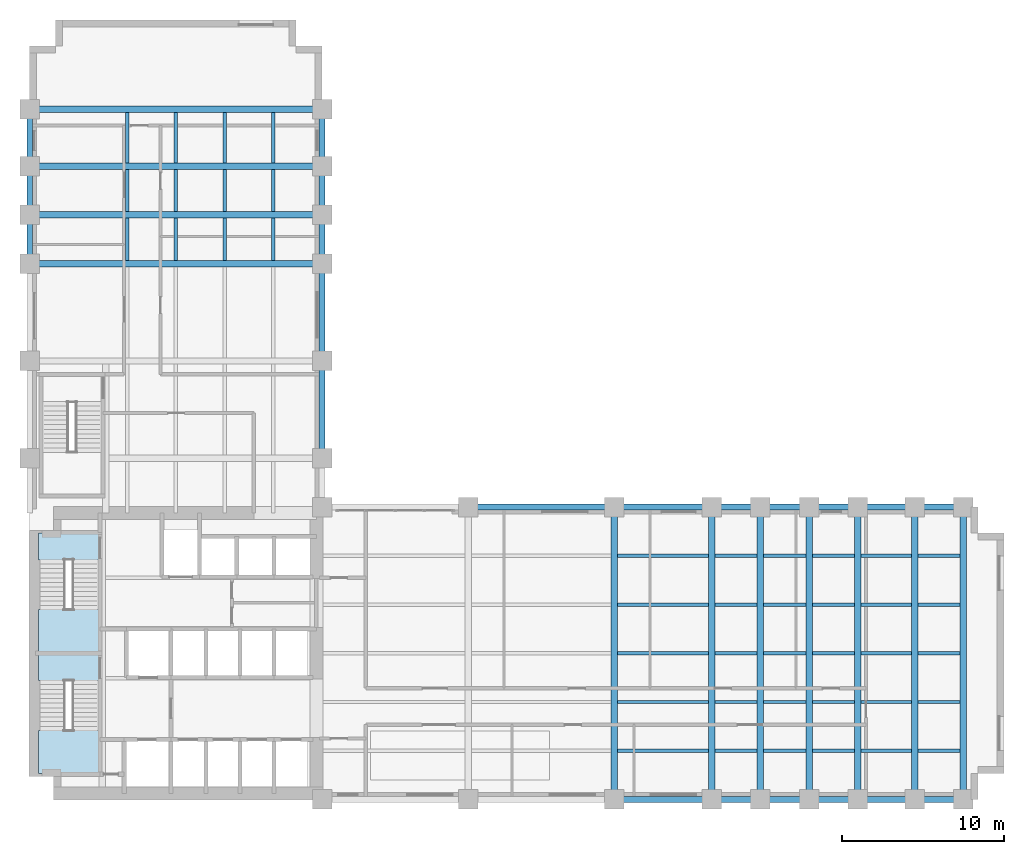
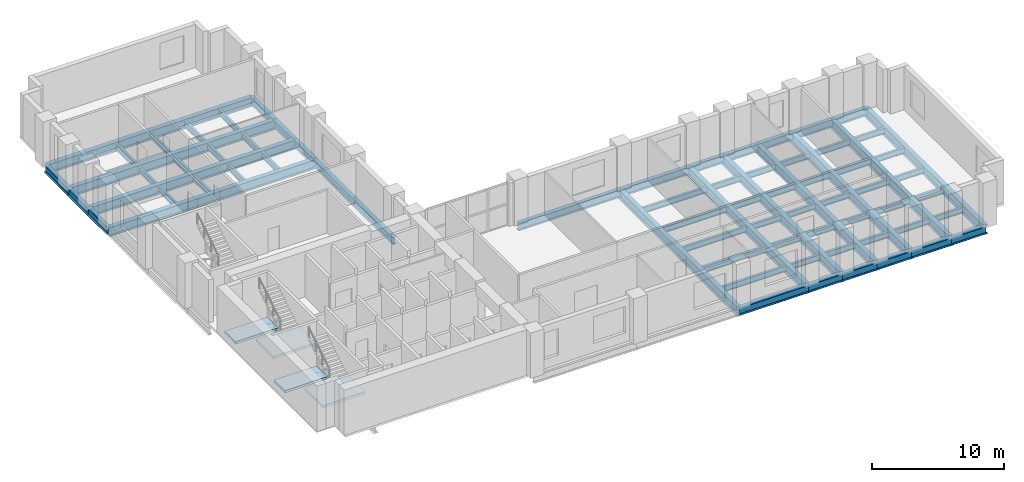
# One storey, part 3 of 8: 74 beams, 4 slabs, 2 elements without a shape of their own.
"""IFC4 building model written with IfcOpenShell, lengths in metres."""

from ifc_helpers import new_model, si_unit, direction, frame, origin, origin_2d, place, context, subcontext, project, spatial, polyline, i_section, outline, extrude, material, layer, layer_set, material_profile, profile_set, type_object, element, aggregate, save


model = new_model("IFC4")

# Units and contexts
model_context = context("Model", 3, precision=1e-05, world=origin(), true_north=direction((0.0, 1.0)))
body_context = subcontext(model_context, "Body", "Model", "MODEL_VIEW")
ifc_project = project(units=[si_unit("LENGTHUNIT", "METRE"), si_unit("AREAUNIT", "SQUARE_METRE"), si_unit("VOLUMEUNIT", "CUBIC_METRE"), si_unit("PLANEANGLEUNIT", "RADIAN"), si_unit("MASSUNIT", "GRAM", prefix="KILO")], contexts=[model_context])

# Site, building, storey
site_placement = place(None, origin())
site = spatial("IfcSite", under=ifc_project, at=site_placement, CompositionType="ELEMENT")
building_placement = place(site_placement, origin())
building = spatial("IfcBuilding", under=site, at=building_placement, Name="Mawjdan Bourse Tower", CompositionType="ELEMENT")
storey_placement = place(building_placement, frame((0.0, 0.0, 76.199951171875)))
storey = spatial("IfcBuildingStorey", under=building, at=storey_placement, Name="L17", CompositionType="ELEMENT", Elevation=76.199951171875)

# Beams
ifc_material_1 = material(Name="Structural Steel S355", Category="steel")
ifc_material_profile_1 = material_profile(ifc_material_1, i_section(OverallWidth=0.39892578125, OverallDepth=0.85595703125, WebThickness=0.018310546875, FlangeThickness=0.029296875, FilletRadius=0.0234375, at=origin_2d()), Name="W33X201")
ifc_profile_set_1 = profile_set([ifc_material_profile_1], Name="Structural Steel S355")
beam_type_1 = type_object("IfcBeamType", Name="GRD-W33X201", PredefinedType="BEAM", material=ifc_profile_set_1)
for number, where, z_axis, x_axis, name in (
    (1, (42.0, 3.0, -0.64794921875), (0.0, 1.0, 0.0), (-1.0, 0.0, 0.0), "L17 East Wing Clear-Span Girder 003"),
    (2, (48.0, 3.0, -0.64794921875), (0.0, 1.0, 0.0), (-1.0, 0.0, 0.0), "L17 East Wing Clear-Span Girder 004"),
    (3, (51.0, 3.0, -0.64794921875), (0.0, 1.0, 0.0), (-1.0, 0.0, 0.0), "L17 East Wing Clear-Span Girder 005"),
    (4, (54.0, 3.0, -0.64794921875), (0.0, 1.0, 0.0), (-1.0, 0.0, 0.0), "L17 East Wing Clear-Span Girder 006"),
    (5, (57.0, 3.0, -0.64794921875), (0.0, 1.0, 0.0), (-1.0, 0.0, 0.0), "L17 East Wing Clear-Span Girder 007"),
    (6, (60.5, 3.0, -0.64794921875), (0.0, 1.0, 0.0), (-1.0, 0.0, 0.0), "L17 East Wing Clear-Span Girder 008"),
    (7, (63.5, 3.0, -0.64794921875), (0.0, 1.0, 0.0), (-1.0, 0.0, 0.0), "L17 East Wing Clear-Span Girder 009"),
    (8, (6.0, 36.0, -0.64794921875), (1.0, 0.0, 0.0), (0.0, 1.0, 0.0), "L17 North Wing Clear-Span Girder 073"),
    (9, (6.0, 39.0, -0.64794921875), (1.0, 0.0, 0.0), (0.0, 1.0, 0.0), "L17 North Wing Clear-Span Girder 074"),
    (10, (6.0, 42.0, -0.64794921875), (1.0, 0.0, 0.0), (0.0, 1.0, 0.0), "L17 North Wing Clear-Span Girder 075"),
    (11, (6.0, 45.5, -0.64794921875), (1.0, 0.0, 0.0), (0.0, 1.0, 0.0), "L17 North Wing Clear-Span Girder 076"),
):
    element("IfcBeam", number, at=place(storey_placement, frame(where, z_axis=z_axis, x_axis=x_axis)), inside=storey, type_object=beam_type_1, Name=name, PredefinedType="BEAM", context=body_context, shape_type="SweptSolid", body=[
        extrude(i_section(OverallWidth=0.39892578125, OverallDepth=0.85595703125, WebThickness=0.018310546875, FlangeThickness=0.029296875, FilletRadius=0.0234375, at=origin_2d()), origin(), (0.0, 0.0, 1.0), 18.0),
    ])
ifc_material_profile_2 = material_profile(ifc_material_1, i_section(OverallWidth=0.2119140625, OverallDepth=0.5439453125, WebThickness=0.01318359375, FlangeThickness=0.021240234375, FilletRadius=0.01708984375, at=origin_2d()), Name="W21X83")
ifc_profile_set_2 = profile_set([ifc_material_profile_2], Name="Structural Steel S355")
beam_type_2 = type_object("IfcBeamType", Name="JST-W21X83", PredefinedType="JOIST", material=ifc_profile_set_2)
beam_1_placement = place(storey_placement, frame((42.197509765625, 6.0, -0.491943359375), z_axis=(1.0, 0.0, 0.0), x_axis=(0.0, 1.0, 0.0)))
element("IfcBeam", 12, at=beam_1_placement, inside=storey, type_object=beam_type_2, Name="L17 East Wing Composite Joist 028", PredefinedType="JOIST", context=body_context, shape_type="SweptSolid", body=[
    extrude(i_section(OverallWidth=0.2119140625, OverallDepth=0.5439453125, WebThickness=0.01318359375, FlangeThickness=0.021240234375, FilletRadius=0.01708984375, at=origin_2d()), origin(), (0.0, 0.0, 1.0), 5.60498046875),
])
for number, where, z_axis, x_axis, name in (
    (13, (48.197509765625, 6.0, -0.491943359375), (1.0, 0.0, 0.0), (0.0, 1.0, 0.0), "L17 East Wing Composite Joist 029"),
    (14, (51.197509765625, 6.0, -0.491943359375), (1.0, 0.0, 0.0), (0.0, 1.0, 0.0), "L17 East Wing Composite Joist 030"),
    (15, (54.197509765625, 6.0, -0.491943359375), (1.0, 0.0, 0.0), (0.0, 1.0, 0.0), "L17 East Wing Composite Joist 031"),
):
    element("IfcBeam", number, at=place(storey_placement, frame(where, z_axis=z_axis, x_axis=x_axis)), inside=storey, type_object=beam_type_2, Name=name, PredefinedType="JOIST", context=body_context, shape_type="SweptSolid", body=[
        extrude(i_section(OverallWidth=0.2119140625, OverallDepth=0.5439453125, WebThickness=0.01318359375, FlangeThickness=0.021240234375, FilletRadius=0.01708984375, at=origin_2d()), origin(), (0.0, 0.0, 1.0), 2.60498046875),
    ])
beam_2_placement = place(storey_placement, frame((57.197509765625, 6.0, -0.491943359375), z_axis=(1.0, 0.0, 0.0), x_axis=(0.0, 1.0, 0.0)))
element("IfcBeam", 16, at=beam_2_placement, inside=storey, type_object=beam_type_2, Name="L17 East Wing Composite Joist 032", PredefinedType="JOIST", context=body_context, shape_type="SweptSolid", body=[
    extrude(i_section(OverallWidth=0.2119140625, OverallDepth=0.5439453125, WebThickness=0.01318359375, FlangeThickness=0.021240234375, FilletRadius=0.01708984375, at=origin_2d()), origin(), (0.0, 0.0, 1.0), 3.10498046875),
])
beam_3_placement = place(storey_placement, frame((60.697509765625, 6.0, -0.491943359375), z_axis=(1.0, 0.0, 0.0), x_axis=(0.0, 1.0, 0.0)))
element("IfcBeam", 17, at=beam_3_placement, inside=storey, type_object=beam_type_2, Name="L17 East Wing Composite Joist 033", PredefinedType="JOIST", context=body_context, shape_type="SweptSolid", body=[
    extrude(i_section(OverallWidth=0.2119140625, OverallDepth=0.5439453125, WebThickness=0.01318359375, FlangeThickness=0.021240234375, FilletRadius=0.01708984375, at=origin_2d()), origin(), (0.0, 0.0, 1.0), 2.60498046875),
])
beam_4_placement = place(storey_placement, frame((42.197509765625, 9.0, -0.491943359375), z_axis=(1.0, 0.0, 0.0), x_axis=(0.0, 1.0, 0.0)))
element("IfcBeam", 18, at=beam_4_placement, inside=storey, type_object=beam_type_2, Name="L17 East Wing Composite Joist 036", PredefinedType="JOIST", context=body_context, shape_type="SweptSolid", body=[
    extrude(i_section(OverallWidth=0.2119140625, OverallDepth=0.5439453125, WebThickness=0.01318359375, FlangeThickness=0.021240234375, FilletRadius=0.01708984375, at=origin_2d()), origin(), (0.0, 0.0, 1.0), 5.60498046875),
])
for number, where, z_axis, x_axis, name in (
    (19, (48.197509765625, 9.0, -0.491943359375), (1.0, 0.0, 0.0), (0.0, 1.0, 0.0), "L17 East Wing Composite Joist 037"),
    (20, (51.197509765625, 9.0, -0.491943359375), (1.0, 0.0, 0.0), (0.0, 1.0, 0.0), "L17 East Wing Composite Joist 038"),
    (21, (54.197509765625, 9.0, -0.491943359375), (1.0, 0.0, 0.0), (0.0, 1.0, 0.0), "L17 East Wing Composite Joist 039"),
):
    element("IfcBeam", number, at=place(storey_placement, frame(where, z_axis=z_axis, x_axis=x_axis)), inside=storey, type_object=beam_type_2, Name=name, PredefinedType="JOIST", context=body_context, shape_type="SweptSolid", body=[
        extrude(i_section(OverallWidth=0.2119140625, OverallDepth=0.5439453125, WebThickness=0.01318359375, FlangeThickness=0.021240234375, FilletRadius=0.01708984375, at=origin_2d()), origin(), (0.0, 0.0, 1.0), 2.60498046875),
    ])
beam_5_placement = place(storey_placement, frame((57.197509765625, 9.0, -0.491943359375), z_axis=(1.0, 0.0, 0.0), x_axis=(0.0, 1.0, 0.0)))
element("IfcBeam", 22, at=beam_5_placement, inside=storey, type_object=beam_type_2, Name="L17 East Wing Composite Joist 040", PredefinedType="JOIST", context=body_context, shape_type="SweptSolid", body=[
    extrude(i_section(OverallWidth=0.2119140625, OverallDepth=0.5439453125, WebThickness=0.01318359375, FlangeThickness=0.021240234375, FilletRadius=0.01708984375, at=origin_2d()), origin(), (0.0, 0.0, 1.0), 3.10498046875),
])
beam_6_placement = place(storey_placement, frame((60.697509765625, 9.0, -0.491943359375), z_axis=(1.0, 0.0, 0.0), x_axis=(0.0, 1.0, 0.0)))
element("IfcBeam", 23, at=beam_6_placement, inside=storey, type_object=beam_type_2, Name="L17 East Wing Composite Joist 041", PredefinedType="JOIST", context=body_context, shape_type="SweptSolid", body=[
    extrude(i_section(OverallWidth=0.2119140625, OverallDepth=0.5439453125, WebThickness=0.01318359375, FlangeThickness=0.021240234375, FilletRadius=0.01708984375, at=origin_2d()), origin(), (0.0, 0.0, 1.0), 2.60498046875),
])
beam_7_placement = place(storey_placement, frame((42.197509765625, 12.0, -0.491943359375), z_axis=(1.0, 0.0, 0.0), x_axis=(0.0, 1.0, 0.0)))
element("IfcBeam", 24, at=beam_7_placement, inside=storey, type_object=beam_type_2, Name="L17 East Wing Composite Joist 044", PredefinedType="JOIST", context=body_context, shape_type="SweptSolid", body=[
    extrude(i_section(OverallWidth=0.2119140625, OverallDepth=0.5439453125, WebThickness=0.01318359375, FlangeThickness=0.021240234375, FilletRadius=0.01708984375, at=origin_2d()), origin(), (0.0, 0.0, 1.0), 5.60498046875),
])
for number, where, z_axis, x_axis, name in (
    (25, (48.197509765625, 12.0, -0.491943359375), (1.0, 0.0, 0.0), (0.0, 1.0, 0.0), "L17 East Wing Composite Joist 045"),
    (26, (51.197509765625, 12.0, -0.491943359375), (1.0, 0.0, 0.0), (0.0, 1.0, 0.0), "L17 East Wing Composite Joist 046"),
    (27, (54.197509765625, 12.0, -0.491943359375), (1.0, 0.0, 0.0), (0.0, 1.0, 0.0), "L17 East Wing Composite Joist 047"),
):
    element("IfcBeam", number, at=place(storey_placement, frame(where, z_axis=z_axis, x_axis=x_axis)), inside=storey, type_object=beam_type_2, Name=name, PredefinedType="JOIST", context=body_context, shape_type="SweptSolid", body=[
        extrude(i_section(OverallWidth=0.2119140625, OverallDepth=0.5439453125, WebThickness=0.01318359375, FlangeThickness=0.021240234375, FilletRadius=0.01708984375, at=origin_2d()), origin(), (0.0, 0.0, 1.0), 2.60498046875),
    ])
beam_8_placement = place(storey_placement, frame((57.197509765625, 12.0, -0.491943359375), z_axis=(1.0, 0.0, 0.0), x_axis=(0.0, 1.0, 0.0)))
element("IfcBeam", 28, at=beam_8_placement, inside=storey, type_object=beam_type_2, Name="L17 East Wing Composite Joist 048", PredefinedType="JOIST", context=body_context, shape_type="SweptSolid", body=[
    extrude(i_section(OverallWidth=0.2119140625, OverallDepth=0.5439453125, WebThickness=0.01318359375, FlangeThickness=0.021240234375, FilletRadius=0.01708984375, at=origin_2d()), origin(), (0.0, 0.0, 1.0), 3.10498046875),
])
beam_9_placement = place(storey_placement, frame((60.697509765625, 12.0, -0.491943359375), z_axis=(1.0, 0.0, 0.0), x_axis=(0.0, 1.0, 0.0)))
element("IfcBeam", 29, at=beam_9_placement, inside=storey, type_object=beam_type_2, Name="L17 East Wing Composite Joist 049", PredefinedType="JOIST", context=body_context, shape_type="SweptSolid", body=[
    extrude(i_section(OverallWidth=0.2119140625, OverallDepth=0.5439453125, WebThickness=0.01318359375, FlangeThickness=0.021240234375, FilletRadius=0.01708984375, at=origin_2d()), origin(), (0.0, 0.0, 1.0), 2.60498046875),
])
beam_10_placement = place(storey_placement, frame((42.197509765625, 15.0, -0.491943359375), z_axis=(1.0, 0.0, 0.0), x_axis=(0.0, 1.0, 0.0)))
element("IfcBeam", 30, at=beam_10_placement, inside=storey, type_object=beam_type_2, Name="L17 East Wing Composite Joist 052", PredefinedType="JOIST", context=body_context, shape_type="SweptSolid", body=[
    extrude(i_section(OverallWidth=0.2119140625, OverallDepth=0.5439453125, WebThickness=0.01318359375, FlangeThickness=0.021240234375, FilletRadius=0.01708984375, at=origin_2d()), origin(), (0.0, 0.0, 1.0), 5.60498046875),
])
for number, where, z_axis, x_axis, name in (
    (31, (48.197509765625, 15.0, -0.491943359375), (1.0, 0.0, 0.0), (0.0, 1.0, 0.0), "L17 East Wing Composite Joist 053"),
    (32, (51.197509765625, 15.0, -0.491943359375), (1.0, 0.0, 0.0), (0.0, 1.0, 0.0), "L17 East Wing Composite Joist 054"),
    (33, (54.197509765625, 15.0, -0.491943359375), (1.0, 0.0, 0.0), (0.0, 1.0, 0.0), "L17 East Wing Composite Joist 055"),
):
    element("IfcBeam", number, at=place(storey_placement, frame(where, z_axis=z_axis, x_axis=x_axis)), inside=storey, type_object=beam_type_2, Name=name, PredefinedType="JOIST", context=body_context, shape_type="SweptSolid", body=[
        extrude(i_section(OverallWidth=0.2119140625, OverallDepth=0.5439453125, WebThickness=0.01318359375, FlangeThickness=0.021240234375, FilletRadius=0.01708984375, at=origin_2d()), origin(), (0.0, 0.0, 1.0), 2.60498046875),
    ])
beam_11_placement = place(storey_placement, frame((57.197509765625, 15.0, -0.491943359375), z_axis=(1.0, 0.0, 0.0), x_axis=(0.0, 1.0, 0.0)))
element("IfcBeam", 34, at=beam_11_placement, inside=storey, type_object=beam_type_2, Name="L17 East Wing Composite Joist 056", PredefinedType="JOIST", context=body_context, shape_type="SweptSolid", body=[
    extrude(i_section(OverallWidth=0.2119140625, OverallDepth=0.5439453125, WebThickness=0.01318359375, FlangeThickness=0.021240234375, FilletRadius=0.01708984375, at=origin_2d()), origin(), (0.0, 0.0, 1.0), 3.10498046875),
])
beam_12_placement = place(storey_placement, frame((60.697509765625, 15.0, -0.491943359375), z_axis=(1.0, 0.0, 0.0), x_axis=(0.0, 1.0, 0.0)))
element("IfcBeam", 35, at=beam_12_placement, inside=storey, type_object=beam_type_2, Name="L17 East Wing Composite Joist 057", PredefinedType="JOIST", context=body_context, shape_type="SweptSolid", body=[
    extrude(i_section(OverallWidth=0.2119140625, OverallDepth=0.5439453125, WebThickness=0.01318359375, FlangeThickness=0.021240234375, FilletRadius=0.01708984375, at=origin_2d()), origin(), (0.0, 0.0, 1.0), 2.60498046875),
])
beam_13_placement = place(storey_placement, frame((42.197509765625, 18.0, -0.491943359375), z_axis=(1.0, 0.0, 0.0), x_axis=(0.0, 1.0, 0.0)))
element("IfcBeam", 36, at=beam_13_placement, inside=storey, type_object=beam_type_2, Name="L17 East Wing Composite Joist 060", PredefinedType="JOIST", context=body_context, shape_type="SweptSolid", body=[
    extrude(i_section(OverallWidth=0.2119140625, OverallDepth=0.5439453125, WebThickness=0.01318359375, FlangeThickness=0.021240234375, FilletRadius=0.01708984375, at=origin_2d()), origin(), (0.0, 0.0, 1.0), 5.60498046875),
])
for number, where, z_axis, x_axis, name in (
    (37, (48.197509765625, 18.0, -0.491943359375), (1.0, 0.0, 0.0), (0.0, 1.0, 0.0), "L17 East Wing Composite Joist 061"),
    (38, (51.197509765625, 18.0, -0.491943359375), (1.0, 0.0, 0.0), (0.0, 1.0, 0.0), "L17 East Wing Composite Joist 062"),
    (39, (54.197509765625, 18.0, -0.491943359375), (1.0, 0.0, 0.0), (0.0, 1.0, 0.0), "L17 East Wing Composite Joist 063"),
):
    element("IfcBeam", number, at=place(storey_placement, frame(where, z_axis=z_axis, x_axis=x_axis)), inside=storey, type_object=beam_type_2, Name=name, PredefinedType="JOIST", context=body_context, shape_type="SweptSolid", body=[
        extrude(i_section(OverallWidth=0.2119140625, OverallDepth=0.5439453125, WebThickness=0.01318359375, FlangeThickness=0.021240234375, FilletRadius=0.01708984375, at=origin_2d()), origin(), (0.0, 0.0, 1.0), 2.60498046875),
    ])
beam_14_placement = place(storey_placement, frame((57.197509765625, 18.0, -0.491943359375), z_axis=(1.0, 0.0, 0.0), x_axis=(0.0, 1.0, 0.0)))
element("IfcBeam", 40, at=beam_14_placement, inside=storey, type_object=beam_type_2, Name="L17 East Wing Composite Joist 064", PredefinedType="JOIST", context=body_context, shape_type="SweptSolid", body=[
    extrude(i_section(OverallWidth=0.2119140625, OverallDepth=0.5439453125, WebThickness=0.01318359375, FlangeThickness=0.021240234375, FilletRadius=0.01708984375, at=origin_2d()), origin(), (0.0, 0.0, 1.0), 3.10498046875),
])
for number, where, z_axis, x_axis, name in (
    (41, (60.697509765625, 18.0, -0.491943359375), (1.0, 0.0, 0.0), (0.0, 1.0, 0.0), "L17 East Wing Composite Joist 065"),
    (42, (12.0, 36.197509765625, -0.491943359375), (0.0, 1.0, 0.0), (-1.0, 0.0, 0.0), "L17 North Wing Composite Joist 092"),
    (43, (12.0, 39.197509765625, -0.491943359375), (0.0, 1.0, 0.0), (-1.0, 0.0, 0.0), "L17 North Wing Composite Joist 093"),
):
    element("IfcBeam", number, at=place(storey_placement, frame(where, z_axis=z_axis, x_axis=x_axis)), inside=storey, type_object=beam_type_2, Name=name, PredefinedType="JOIST", context=body_context, shape_type="SweptSolid", body=[
        extrude(i_section(OverallWidth=0.2119140625, OverallDepth=0.5439453125, WebThickness=0.01318359375, FlangeThickness=0.021240234375, FilletRadius=0.01708984375, at=origin_2d()), origin(), (0.0, 0.0, 1.0), 2.60498046875),
    ])
beam_15_placement = place(storey_placement, frame((12.0, 42.197509765625, -0.491943359375), z_axis=(0.0, 1.0, 0.0), x_axis=(-1.0, 0.0, 0.0)))
element("IfcBeam", 44, at=beam_15_placement, inside=storey, type_object=beam_type_2, Name="L17 North Wing Composite Joist 094", PredefinedType="JOIST", context=body_context, shape_type="SweptSolid", body=[
    extrude(i_section(OverallWidth=0.2119140625, OverallDepth=0.5439453125, WebThickness=0.01318359375, FlangeThickness=0.021240234375, FilletRadius=0.01708984375, at=origin_2d()), origin(), (0.0, 0.0, 1.0), 3.10498046875),
])
for number, where, z_axis, x_axis, name in (
    (45, (15.0, 36.197509765625, -0.491943359375), (0.0, 1.0, 0.0), (-1.0, 0.0, 0.0), "L17 North Wing Composite Joist 098"),
    (46, (15.0, 39.197509765625, -0.491943359375), (0.0, 1.0, 0.0), (-1.0, 0.0, 0.0), "L17 North Wing Composite Joist 099"),
):
    element("IfcBeam", number, at=place(storey_placement, frame(where, z_axis=z_axis, x_axis=x_axis)), inside=storey, type_object=beam_type_2, Name=name, PredefinedType="JOIST", context=body_context, shape_type="SweptSolid", body=[
        extrude(i_section(OverallWidth=0.2119140625, OverallDepth=0.5439453125, WebThickness=0.01318359375, FlangeThickness=0.021240234375, FilletRadius=0.01708984375, at=origin_2d()), origin(), (0.0, 0.0, 1.0), 2.60498046875),
    ])
beam_16_placement = place(storey_placement, frame((15.0, 42.197509765625, -0.491943359375), z_axis=(0.0, 1.0, 0.0), x_axis=(-1.0, 0.0, 0.0)))
element("IfcBeam", 47, at=beam_16_placement, inside=storey, type_object=beam_type_2, Name="L17 North Wing Composite Joist 100", PredefinedType="JOIST", context=body_context, shape_type="SweptSolid", body=[
    extrude(i_section(OverallWidth=0.2119140625, OverallDepth=0.5439453125, WebThickness=0.01318359375, FlangeThickness=0.021240234375, FilletRadius=0.01708984375, at=origin_2d()), origin(), (0.0, 0.0, 1.0), 3.10498046875),
])
for number, where, z_axis, x_axis, name in (
    (48, (18.0, 36.197509765625, -0.491943359375), (0.0, 1.0, 0.0), (-1.0, 0.0, 0.0), "L17 North Wing Composite Joist 104"),
    (49, (18.0, 39.197509765625, -0.491943359375), (0.0, 1.0, 0.0), (-1.0, 0.0, 0.0), "L17 North Wing Composite Joist 105"),
):
    element("IfcBeam", number, at=place(storey_placement, frame(where, z_axis=z_axis, x_axis=x_axis)), inside=storey, type_object=beam_type_2, Name=name, PredefinedType="JOIST", context=body_context, shape_type="SweptSolid", body=[
        extrude(i_section(OverallWidth=0.2119140625, OverallDepth=0.5439453125, WebThickness=0.01318359375, FlangeThickness=0.021240234375, FilletRadius=0.01708984375, at=origin_2d()), origin(), (0.0, 0.0, 1.0), 2.60498046875),
    ])
beam_17_placement = place(storey_placement, frame((18.0, 42.197509765625, -0.491943359375), z_axis=(0.0, 1.0, 0.0), x_axis=(-1.0, 0.0, 0.0)))
element("IfcBeam", 50, at=beam_17_placement, inside=storey, type_object=beam_type_2, Name="L17 North Wing Composite Joist 106", PredefinedType="JOIST", context=body_context, shape_type="SweptSolid", body=[
    extrude(i_section(OverallWidth=0.2119140625, OverallDepth=0.5439453125, WebThickness=0.01318359375, FlangeThickness=0.021240234375, FilletRadius=0.01708984375, at=origin_2d()), origin(), (0.0, 0.0, 1.0), 3.10498046875),
])
for number, where, z_axis, x_axis, name in (
    (51, (21.0, 36.197509765625, -0.491943359375), (0.0, 1.0, 0.0), (-1.0, 0.0, 0.0), "L17 North Wing Composite Joist 110"),
    (52, (21.0, 39.197509765625, -0.491943359375), (0.0, 1.0, 0.0), (-1.0, 0.0, 0.0), "L17 North Wing Composite Joist 111"),
):
    element("IfcBeam", number, at=place(storey_placement, frame(where, z_axis=z_axis, x_axis=x_axis)), inside=storey, type_object=beam_type_2, Name=name, PredefinedType="JOIST", context=body_context, shape_type="SweptSolid", body=[
        extrude(i_section(OverallWidth=0.2119140625, OverallDepth=0.5439453125, WebThickness=0.01318359375, FlangeThickness=0.021240234375, FilletRadius=0.01708984375, at=origin_2d()), origin(), (0.0, 0.0, 1.0), 2.60498046875),
    ])
beam_18_placement = place(storey_placement, frame((21.0, 42.197509765625, -0.491943359375), z_axis=(0.0, 1.0, 0.0), x_axis=(-1.0, 0.0, 0.0)))
element("IfcBeam", 53, at=beam_18_placement, inside=storey, type_object=beam_type_2, Name="L17 North Wing Composite Joist 112", PredefinedType="JOIST", context=body_context, shape_type="SweptSolid", body=[
    extrude(i_section(OverallWidth=0.2119140625, OverallDepth=0.5439453125, WebThickness=0.01318359375, FlangeThickness=0.021240234375, FilletRadius=0.01708984375, at=origin_2d()), origin(), (0.0, 0.0, 1.0), 3.10498046875),
])
ifc_material_profile_3 = material_profile(ifc_material_1, i_section(OverallWidth=0.35498046875, OverallDepth=0.696044921875, WebThickness=0.015380859375, FlangeThickness=0.02490234375, FilletRadius=0.019775390625, at=origin_2d()), Name="W27X146")
ifc_profile_set_3 = profile_set([ifc_material_profile_3], Name="Structural Steel S355")
beam_type_3 = type_object("IfcBeamType", Name="SPN-W27X146", PredefinedType="SPANDREL", material=ifc_profile_set_3)
beam_19_placement = place(storey_placement, frame((42.0, 3.0, -0.56787109375), z_axis=(1.0, 0.0, 0.0), x_axis=(0.0, 1.0, 0.0)))
element("IfcBeam", 54, at=beam_19_placement, inside=storey, type_object=beam_type_3, Name="L17 Perimeter Masonry-Shelf Spandrel 012", PredefinedType="SPANDREL", context=body_context, shape_type="SweptSolid", body=[
    extrude(i_section(OverallWidth=0.35498046875, OverallDepth=0.696044921875, WebThickness=0.015380859375, FlangeThickness=0.02490234375, FilletRadius=0.019775390625, at=origin_2d()), origin(), (0.0, 0.0, 1.0), 6.0),
])
for number, where, z_axis, x_axis, name in (
    (55, (48.0, 3.0, -0.56787109375), (1.0, 0.0, 0.0), (0.0, 1.0, 0.0), "L17 Perimeter Masonry-Shelf Spandrel 013"),
    (56, (51.0, 3.0, -0.56787109375), (1.0, 0.0, 0.0), (0.0, 1.0, 0.0), "L17 Perimeter Masonry-Shelf Spandrel 014"),
    (57, (54.0, 3.0, -0.56787109375), (1.0, 0.0, 0.0), (0.0, 1.0, 0.0), "L17 Perimeter Masonry-Shelf Spandrel 015"),
):
    element("IfcBeam", number, at=place(storey_placement, frame(where, z_axis=z_axis, x_axis=x_axis)), inside=storey, type_object=beam_type_3, Name=name, PredefinedType="SPANDREL", context=body_context, shape_type="SweptSolid", body=[
        extrude(i_section(OverallWidth=0.35498046875, OverallDepth=0.696044921875, WebThickness=0.015380859375, FlangeThickness=0.02490234375, FilletRadius=0.019775390625, at=origin_2d()), origin(), (0.0, 0.0, 1.0), 3.0),
    ])
beam_20_placement = place(storey_placement, frame((57.0, 3.0, -0.56787109375), z_axis=(1.0, 0.0, 0.0), x_axis=(0.0, 1.0, 0.0)))
element("IfcBeam", 58, at=beam_20_placement, inside=storey, type_object=beam_type_3, Name="L17 Perimeter Masonry-Shelf Spandrel 016", PredefinedType="SPANDREL", context=body_context, shape_type="SweptSolid", body=[
    extrude(i_section(OverallWidth=0.35498046875, OverallDepth=0.696044921875, WebThickness=0.015380859375, FlangeThickness=0.02490234375, FilletRadius=0.019775390625, at=origin_2d()), origin(), (0.0, 0.0, 1.0), 3.5),
])
beam_21_placement = place(storey_placement, frame((60.5, 3.0, -0.56787109375), z_axis=(1.0, 0.0, 0.0), x_axis=(0.0, 1.0, 0.0)))
element("IfcBeam", 59, at=beam_21_placement, inside=storey, type_object=beam_type_3, Name="L17 Perimeter Masonry-Shelf Spandrel 017", PredefinedType="SPANDREL", context=body_context, shape_type="SweptSolid", body=[
    extrude(i_section(OverallWidth=0.35498046875, OverallDepth=0.696044921875, WebThickness=0.015380859375, FlangeThickness=0.02490234375, FilletRadius=0.019775390625, at=origin_2d()), origin(), (0.0, 0.0, 1.0), 3.0),
])
beam_22_placement = place(storey_placement, frame((33.0, 21.0, -0.56787109375), z_axis=(1.0, 0.0, 0.0), x_axis=(0.0, 1.0, 0.0)))
element("IfcBeam", 60, at=beam_22_placement, inside=storey, type_object=beam_type_3, Name="L17 Perimeter Masonry-Shelf Spandrel 019", PredefinedType="SPANDREL", context=body_context, shape_type="SweptSolid", body=[
    extrude(i_section(OverallWidth=0.35498046875, OverallDepth=0.696044921875, WebThickness=0.015380859375, FlangeThickness=0.02490234375, FilletRadius=0.019775390625, at=origin_2d()), origin(), (0.0, 0.0, 1.0), 9.0),
])
beam_23_placement = place(storey_placement, frame((42.0, 21.0, -0.56787109375), z_axis=(1.0, 0.0, 0.0), x_axis=(0.0, 1.0, 0.0)))
element("IfcBeam", 61, at=beam_23_placement, inside=storey, type_object=beam_type_3, Name="L17 Perimeter Masonry-Shelf Spandrel 020", PredefinedType="SPANDREL", context=body_context, shape_type="SweptSolid", body=[
    extrude(i_section(OverallWidth=0.35498046875, OverallDepth=0.696044921875, WebThickness=0.015380859375, FlangeThickness=0.02490234375, FilletRadius=0.019775390625, at=origin_2d()), origin(), (0.0, 0.0, 1.0), 6.0),
])
for number, where, z_axis, x_axis, name in (
    (62, (48.0, 21.0, -0.56787109375), (1.0, 0.0, 0.0), (0.0, 1.0, 0.0), "L17 Perimeter Masonry-Shelf Spandrel 021"),
    (63, (51.0, 21.0, -0.56787109375), (1.0, 0.0, 0.0), (0.0, 1.0, 0.0), "L17 Perimeter Masonry-Shelf Spandrel 022"),
    (64, (54.0, 21.0, -0.56787109375), (1.0, 0.0, 0.0), (0.0, 1.0, 0.0), "L17 Perimeter Masonry-Shelf Spandrel 023"),
):
    element("IfcBeam", number, at=place(storey_placement, frame(where, z_axis=z_axis, x_axis=x_axis)), inside=storey, type_object=beam_type_3, Name=name, PredefinedType="SPANDREL", context=body_context, shape_type="SweptSolid", body=[
        extrude(i_section(OverallWidth=0.35498046875, OverallDepth=0.696044921875, WebThickness=0.015380859375, FlangeThickness=0.02490234375, FilletRadius=0.019775390625, at=origin_2d()), origin(), (0.0, 0.0, 1.0), 3.0),
    ])
beam_24_placement = place(storey_placement, frame((57.0, 21.0, -0.56787109375), z_axis=(1.0, 0.0, 0.0), x_axis=(0.0, 1.0, 0.0)))
element("IfcBeam", 65, at=beam_24_placement, inside=storey, type_object=beam_type_3, Name="L17 Perimeter Masonry-Shelf Spandrel 024", PredefinedType="SPANDREL", context=body_context, shape_type="SweptSolid", body=[
    extrude(i_section(OverallWidth=0.35498046875, OverallDepth=0.696044921875, WebThickness=0.015380859375, FlangeThickness=0.02490234375, FilletRadius=0.019775390625, at=origin_2d()), origin(), (0.0, 0.0, 1.0), 3.5),
])
for number, where, z_axis, x_axis, name in (
    (66, (60.5, 21.0, -0.56787109375), (1.0, 0.0, 0.0), (0.0, 1.0, 0.0), "L17 Perimeter Masonry-Shelf Spandrel 025"),
    (67, (6.0, 36.0, -0.56787109375), (0.0, 1.0, 0.0), (-1.0, 0.0, 0.0), "L17 North Wing Spandrel 080"),
    (68, (6.0, 39.0, -0.56787109375), (0.0, 1.0, 0.0), (-1.0, 0.0, 0.0), "L17 North Wing Spandrel 081"),
):
    element("IfcBeam", number, at=place(storey_placement, frame(where, z_axis=z_axis, x_axis=x_axis)), inside=storey, type_object=beam_type_3, Name=name, PredefinedType="SPANDREL", context=body_context, shape_type="SweptSolid", body=[
        extrude(i_section(OverallWidth=0.35498046875, OverallDepth=0.696044921875, WebThickness=0.015380859375, FlangeThickness=0.02490234375, FilletRadius=0.019775390625, at=origin_2d()), origin(), (0.0, 0.0, 1.0), 3.0),
    ])
beam_25_placement = place(storey_placement, frame((6.0, 42.0, -0.56787109375), z_axis=(0.0, 1.0, 0.0), x_axis=(-1.0, 0.0, 0.0)))
element("IfcBeam", 69, at=beam_25_placement, inside=storey, type_object=beam_type_3, Name="L17 North Wing Spandrel 082", PredefinedType="SPANDREL", context=body_context, shape_type="SweptSolid", body=[
    extrude(i_section(OverallWidth=0.35498046875, OverallDepth=0.696044921875, WebThickness=0.015380859375, FlangeThickness=0.02490234375, FilletRadius=0.019775390625, at=origin_2d()), origin(), (0.0, 0.0, 1.0), 3.5),
])
for number, where, z_axis, x_axis, name in (
    (70, (24.0, 24.0, -0.56787109375), (0.0, 1.0, 0.0), (-1.0, 0.0, 0.0), "L17 North Wing Spandrel 084"),
    (71, (24.0, 30.0, -0.56787109375), (0.0, 1.0, 0.0), (-1.0, 0.0, 0.0), "L17 North Wing Spandrel 085"),
):
    element("IfcBeam", number, at=place(storey_placement, frame(where, z_axis=z_axis, x_axis=x_axis)), inside=storey, type_object=beam_type_3, Name=name, PredefinedType="SPANDREL", context=body_context, shape_type="SweptSolid", body=[
        extrude(i_section(OverallWidth=0.35498046875, OverallDepth=0.696044921875, WebThickness=0.015380859375, FlangeThickness=0.02490234375, FilletRadius=0.019775390625, at=origin_2d()), origin(), (0.0, 0.0, 1.0), 6.0),
    ])
for number, where, z_axis, x_axis, name in (
    (72, (24.0, 36.0, -0.56787109375), (0.0, 1.0, 0.0), (-1.0, 0.0, 0.0), "L17 North Wing Spandrel 086"),
    (73, (24.0, 39.0, -0.56787109375), (0.0, 1.0, 0.0), (-1.0, 0.0, 0.0), "L17 North Wing Spandrel 087"),
):
    element("IfcBeam", number, at=place(storey_placement, frame(where, z_axis=z_axis, x_axis=x_axis)), inside=storey, type_object=beam_type_3, Name=name, PredefinedType="SPANDREL", context=body_context, shape_type="SweptSolid", body=[
        extrude(i_section(OverallWidth=0.35498046875, OverallDepth=0.696044921875, WebThickness=0.015380859375, FlangeThickness=0.02490234375, FilletRadius=0.019775390625, at=origin_2d()), origin(), (0.0, 0.0, 1.0), 3.0),
    ])
beam_26_placement = place(storey_placement, frame((24.0, 42.0, -0.56787109375), z_axis=(0.0, 1.0, 0.0), x_axis=(-1.0, 0.0, 0.0)))
element("IfcBeam", 74, at=beam_26_placement, inside=storey, type_object=beam_type_3, Name="L17 North Wing Spandrel 088", PredefinedType="SPANDREL", context=body_context, shape_type="SweptSolid", body=[
    extrude(i_section(OverallWidth=0.35498046875, OverallDepth=0.696044921875, WebThickness=0.015380859375, FlangeThickness=0.02490234375, FilletRadius=0.019775390625, at=origin_2d()), origin(), (0.0, 0.0, 1.0), 3.5),
])

# Stair, slabs
ifc_material_2 = material(Name="Concrete C50/60", Category="concrete")
stair_type = type_object("IfcStairType", Name="STR-CORE-1500", PredefinedType="HALF_TURN_STAIR", material=ifc_material_2)
stair_1_placement = place(storey_placement, origin())
stair_1 = element("IfcStair", 75, at=stair_1_placement, inside=storey, type_object=stair_type, Name="L17 Exit Stair 1 (Core South-West)", PredefinedType="HALF_TURN_STAIR")
ifc_layer = layer(ifc_material_2, 0.22998046875)
ifc_layer_set = layer_set([ifc_layer], Name="Concrete C50/60")
slab_type = type_object("IfcSlabType", Name="SL-LND-230", PredefinedType="LANDING", material=ifc_layer_set)
slab_1_placement = place(storey_placement, frame((0.0, 0.0, -0.22998046875)))
slab_1 = element("IfcSlab", 76, at=slab_1_placement, type_object=slab_type, Name="ST1-L17 landing 1", PredefinedType="LANDING", context=body_context, shape_type="SweptSolid", body=[
    extrude(outline(polyline([(6.5400390625, 10.31005859375), (10.260009765625, 10.31005859375), (10.260009765625, 11.969970703125), (6.5400390625, 11.969970703125), (6.5400390625, 10.31005859375)])), origin(), (0.0, 0.0, 1.0), 0.22998046875),
])
slab_2_placement = place(storey_placement, frame((0.0, 0.0, 1.8701171875)))
slab_2 = element("IfcSlab", 77, at=slab_2_placement, type_object=slab_type, Name="ST1-L17 landing 2", PredefinedType="LANDING", context=body_context, shape_type="SweptSolid", body=[
    extrude(outline(polyline([(6.5400390625, 4.590087890625), (10.260009765625, 4.590087890625), (10.260009765625, 7.2548828125), (6.5400390625, 7.2548828125), (6.5400390625, 4.590087890625)])), origin(), (0.0, 0.0, 1.0), 0.22998046875),
])
aggregate(stair_1, [slab_1, slab_2])

stair_2_placement = place(storey_placement, origin())
stair_2 = element("IfcStair", 78, at=stair_2_placement, inside=storey, type_object=stair_type, Name="L17 Exit Stair 2 (Core North-West)", PredefinedType="HALF_TURN_STAIR")
slab_3_placement = place(storey_placement, frame((0.0, 0.0, -0.22998046875)))
slab_3 = element("IfcSlab", 79, at=slab_3_placement, type_object=slab_type, Name="ST2-L17 landing 1", PredefinedType="LANDING", context=body_context, shape_type="SweptSolid", body=[
    extrude(outline(polyline([(6.5400390625, 17.75), (10.260009765625, 17.75), (10.260009765625, 19.409912109375), (6.5400390625, 19.409912109375), (6.5400390625, 17.75)])), origin(), (0.0, 0.0, 1.0), 0.22998046875),
])
slab_4_placement = place(storey_placement, frame((0.0, 0.0, 1.8701171875)))
slab_4 = element("IfcSlab", 80, at=slab_4_placement, type_object=slab_type, Name="ST2-L17 landing 2", PredefinedType="LANDING", context=body_context, shape_type="SweptSolid", body=[
    extrude(outline(polyline([(6.5400390625, 12.030029296875), (10.260009765625, 12.030029296875), (10.260009765625, 14.695068359375), (6.5400390625, 14.695068359375), (6.5400390625, 12.030029296875)])), origin(), (0.0, 0.0, 1.0), 0.22998046875),
])
aggregate(stair_2, [slab_3, slab_4])

save(model, "model.ifc")
